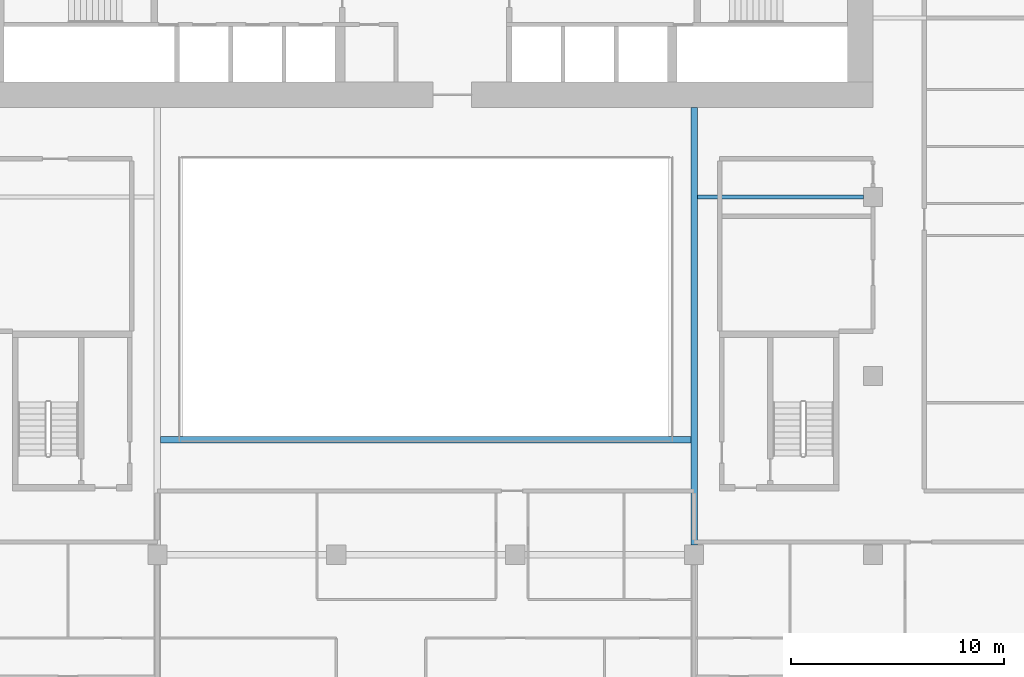
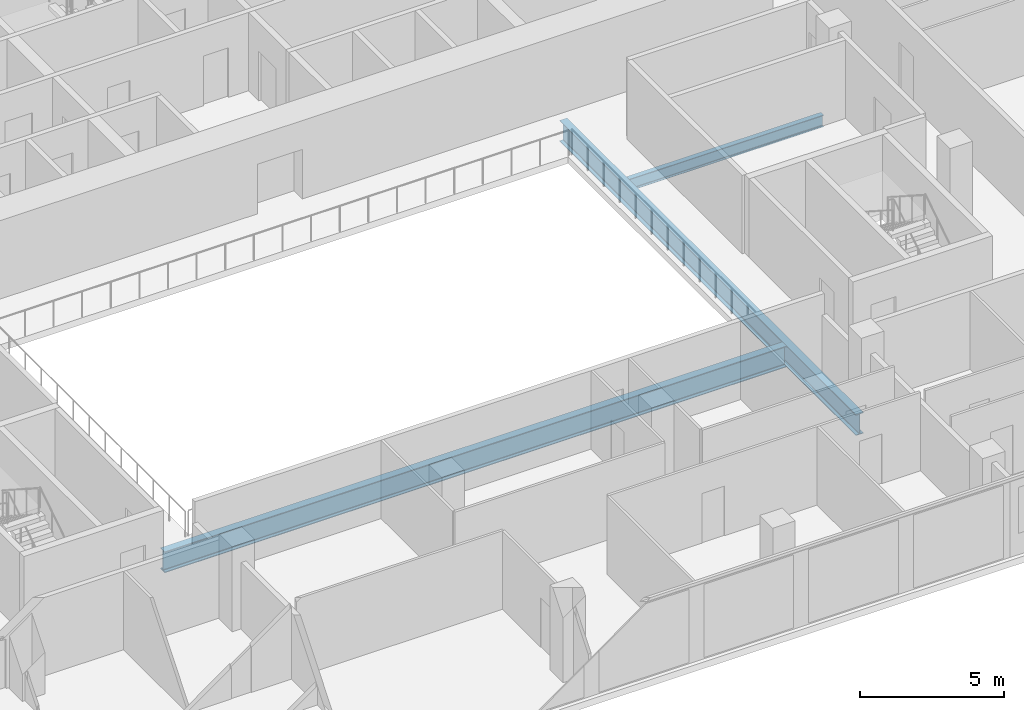
# One storey, part 7 of 28: 3 beams.
"""IFC4 building model written with IfcOpenShell, lengths in metres."""

from ifc_helpers import new_model, si_unit, direction, frame, origin, origin_2d, place, context, subcontext, project, spatial, i_section, extrude, material, material_profile, profile_set, type_object, element, save


model = new_model("IFC4")

# Units and contexts
model_context = context("Model", 3, precision=1e-05, world=origin(), true_north=direction((0.0, 1.0)))
body_context = subcontext(model_context, "Body", "Model", "MODEL_VIEW")
ifc_project = project(units=[si_unit("LENGTHUNIT", "METRE"), si_unit("AREAUNIT", "SQUARE_METRE"), si_unit("VOLUMEUNIT", "CUBIC_METRE"), si_unit("PLANEANGLEUNIT", "RADIAN"), si_unit("MASSUNIT", "GRAM", prefix="KILO")], contexts=[model_context])

# Site, building, storey
site_placement = place(None, origin())
site = spatial("IfcSite", under=ifc_project, at=site_placement, CompositionType="ELEMENT")
building_placement = place(site_placement, origin())
building = spatial("IfcBuilding", under=site, at=building_placement, Name="Saffron Gate Tower", CompositionType="ELEMENT")
storey_placement = place(building_placement, frame((0.0, 0.0, 51.60009765625)))
storey = spatial("IfcBuildingStorey", under=building, at=storey_placement, Name="L11", CompositionType="ELEMENT", Elevation=51.60009765625)

# Beams
ifc_material = material(Name="Structural steel S355", Category="steel")
ifc_material_profile_1 = material_profile(ifc_material, i_section(OverallWidth=0.199951171875, OverallDepth=0.5, WebThickness=0.01025390625, FlangeThickness=0.01611328125, FilletRadius=0.02099609375, at=origin_2d()))
ifc_profile_set_1 = profile_set([ifc_material_profile_1], Name="Structural steel S355")
beam_type_1 = type_object("IfcBeamType", Name="B10 IPE 500", PredefinedType="BEAM", material=ifc_profile_set_1)
beam_1_placement = place(storey_placement, frame((108.14990234375, 57.0, -0.530029296875), z_axis=(-1.0, 0.0, 0.0), x_axis=(0.0, -1.0, 0.0)))
element("IfcBeam", 1, at=beam_1_placement, inside=storey, type_object=beam_type_1, Name="B10 CORE TIE BEAM", PredefinedType="BEAM", context=body_context, shape_type="SweptSolid", body=[
    extrude(i_section(OverallWidth=0.199951171875, OverallDepth=0.5, WebThickness=0.01025390625, FlangeThickness=0.01611328125, FilletRadius=0.02099609375, at=origin_2d()), origin(), (0.0, 0.0, 1.0), 7.7998046875),
])
ifc_material_profile_2 = material_profile(ifc_material, i_section(OverallWidth=0.300048828125, OverallDepth=0.889892578125, WebThickness=0.01611328125, FlangeThickness=0.030029296875, FilletRadius=0.030029296875, at=origin_2d()))
ifc_profile_set_2 = profile_set([ifc_material_profile_2], Name="Structural steel S355")
beam_type_2 = type_object("IfcBeamType", Name="B19 HEA 900", PredefinedType="BEAM", material=ifc_profile_set_2)
beam_2_placement = place(storey_placement, frame((100.199951171875, 40.64990234375, -0.72509765625), z_axis=(0.0, 1.0, 0.0), x_axis=(-1.0, 0.0, 0.0)))
element("IfcBeam", 2, at=beam_2_placement, inside=storey, type_object=beam_type_2, Name="B19 ATRIUM GIRDER", PredefinedType="BEAM", context=body_context, shape_type="SweptSolid", body=[
    extrude(i_section(OverallWidth=0.300048828125, OverallDepth=0.889892578125, WebThickness=0.01611328125, FlangeThickness=0.030029296875, FilletRadius=0.030029296875, at=origin_2d()), origin(), (0.0, 0.0, 1.0), 20.550048828125),
])
beam_3_placement = place(storey_placement, frame((75.14990234375, 45.60009765625, -0.72509765625), z_axis=(1.0, 0.0, 0.0), x_axis=(0.0, 1.0, 0.0)))
element("IfcBeam", 3, at=beam_3_placement, inside=storey, type_object=beam_type_2, Name="B19 ATRIUM GIRDER", PredefinedType="BEAM", context=body_context, shape_type="SweptSolid", body=[
    extrude(i_section(OverallWidth=0.300048828125, OverallDepth=0.889892578125, WebThickness=0.01611328125, FlangeThickness=0.030029296875, FilletRadius=0.030029296875, at=origin_2d()), origin(), (0.0, 0.0, 1.0), 24.900146484375),
])

save(model, "model.ifc")
